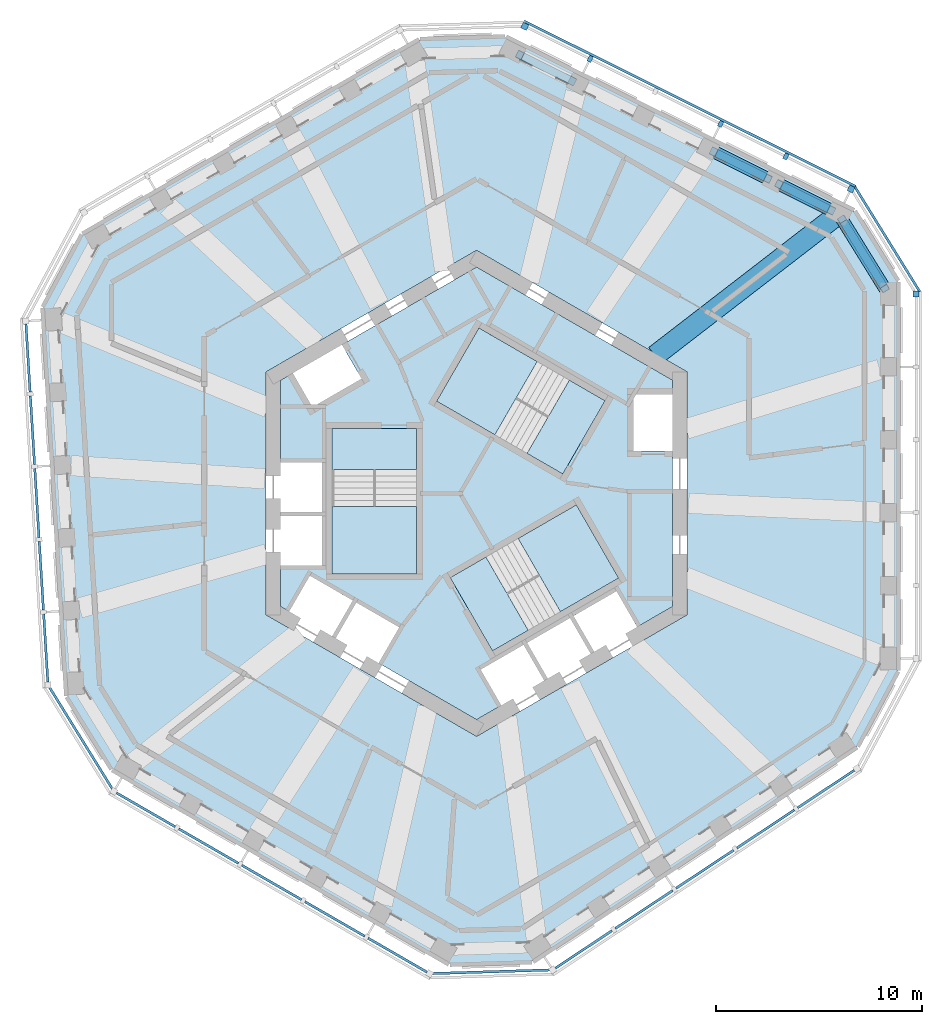
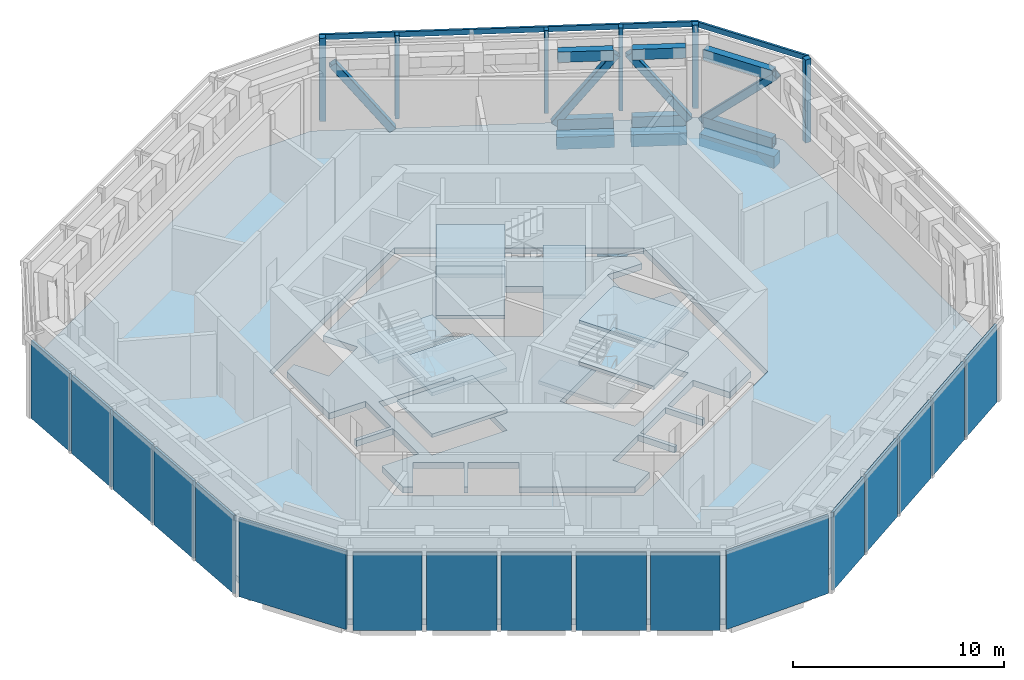
# One storey, part 4 of 14: 18 members, 17 plates, 11 slabs, 4 beams, 11 elements without a shape of their own.
"""IFC4 building model written with IfcOpenShell, lengths in metres."""

from ifc_helpers import new_model, si_unit, direction, frame, origin, origin_2d, place, context, subcontext, project, spatial, polyline, rectangle, hollow_rectangle, outline, extrude, material, layer, layer_set, material_profile, profile_set, type_object, element, aggregate, save


model = new_model("IFC4")

# Units and contexts
model_context = context("Model", 3, precision=1e-05, world=origin(), true_north=direction((0.0, 1.0)))
body_context = subcontext(model_context, "Body", "Model", "MODEL_VIEW")
ifc_project = project(units=[si_unit("LENGTHUNIT", "METRE"), si_unit("AREAUNIT", "SQUARE_METRE"), si_unit("VOLUMEUNIT", "CUBIC_METRE"), si_unit("PLANEANGLEUNIT", "RADIAN"), si_unit("MASSUNIT", "GRAM", prefix="KILO")], contexts=[model_context])

# Site, building, storey
site_placement = place(None, origin())
site = spatial("IfcSite", under=ifc_project, at=site_placement, CompositionType="ELEMENT")
building_placement = place(site_placement, origin())
building = spatial("IfcBuilding", under=site, at=building_placement, Name="Vanh Sen Convention Tower", CompositionType="ELEMENT")
storey_placement = place(building_placement, frame((0.0, 0.0, 255.0)))
storey = spatial("IfcBuildingStorey", under=building, at=storey_placement, Name="L63", CompositionType="ELEMENT", Elevation=255.0)

# Members
ifc_material_1 = material(Name="Steel S460", Category="steel")
ifc_material_profile_1 = material_profile(ifc_material_1, hollow_rectangle(XDim=0.39990234375, YDim=0.60009765625, WallThickness=0.030029296875, at=origin_2d()), Name="BOX 600X400X30")
ifc_profile_set_1 = profile_set([ifc_material_profile_1], Name="Steel S460")
member_type_1 = type_object("IfcMemberType", Name="Belt truss chord BOX 600X400X30", PredefinedType="CHORD", material=ifc_profile_set_1)
for number, where, z_axis, x_axis, name in (
    (1, (19.72265625, 10.03271484375, 0.300048828125), (-0.526227191347, 0.850344014553, 0.0), (-0.850344014553, -0.526227191347, 0.0), "BELT TRUSS chord bottom 06 L63"),
    (2, (19.72265625, 10.03271484375, 4.199951171875), (-0.526227191347, 0.850344014553, 0.0), (-0.850344014553, -0.526227191347, 0.0), "BELT TRUSS chord top 06 L63"),
):
    element("IfcMember", number, at=place(storey_placement, frame(where, z_axis=z_axis, x_axis=x_axis)), inside=storey, type_object=member_type_1, Name=name, PredefinedType="CHORD", context=body_context, shape_type="SweptSolid", body=[
        extrude(hollow_rectangle(XDim=0.39990234375, YDim=0.60009765625, WallThickness=0.030029296875, at=origin_2d()), origin(), (0.0, 0.0, 1.0), 3.69384765625),
    ])
for number, where, z_axis, x_axis, name in (
    (3, (17.063720703125, 13.784423828125, 0.300048828125), (-0.894925734573, 0.446215115834, 0.0), (-0.446215115834, -0.894925734573, 0.0), "BELT TRUSS chord bottom 07 L63"),
    (4, (17.063720703125, 13.784423828125, 4.199951171875), (-0.894925734573, 0.446215115834, 0.0), (-0.446215115834, -0.894925734573, 0.0), "BELT TRUSS chord top 07 L63"),
):
    element("IfcMember", number, at=place(storey_placement, frame(where, z_axis=z_axis, x_axis=x_axis)), inside=storey, type_object=member_type_1, Name=name, PredefinedType="CHORD", context=body_context, shape_type="SweptSolid", body=[
        extrude(hollow_rectangle(XDim=0.39990234375, YDim=0.60009765625, WallThickness=0.030029296875, at=origin_2d()), origin(), (0.0, 0.0, 1.0), 2.543701171875),
    ])
for number, where, z_axis, x_axis, name in (
    (5, (13.990966796875, 15.31640625, 0.300048828125), (-0.894925303477, 0.446215980436, 0.0), (-0.446215980436, -0.894925303477, 0.0), "BELT TRUSS chord bottom 08 L63"),
    (6, (13.990966796875, 15.31640625, 4.199951171875), (-0.894925303477, 0.446215980436, 0.0), (-0.446215980436, -0.894925303477, 0.0), "BELT TRUSS chord top 08 L63"),
):
    element("IfcMember", number, at=place(storey_placement, frame(where, z_axis=z_axis, x_axis=x_axis)), inside=storey, type_object=member_type_1, Name=name, PredefinedType="CHORD", context=body_context, shape_type="SweptSolid", body=[
        extrude(hollow_rectangle(XDim=0.39990234375, YDim=0.60009765625, WallThickness=0.030029296875, at=origin_2d()), origin(), (0.0, 0.0, 1.0), 2.643798828125),
    ])
ifc_material_2 = material(Name="Steel S355", Category="steel")
ifc_material_profile_2 = material_profile(ifc_material_2, hollow_rectangle(XDim=0.39990234375, YDim=0.39990234375, WallThickness=0.01611328125, InnerFilletRadius=0.01611328125, OuterFilletRadius=0.031982421875, at=origin_2d()), Name="SHS 400X400X16")
ifc_profile_set_2 = profile_set([ifc_material_profile_2], Name="Steel S355")
member_type_2 = type_object("IfcMemberType", Name="Belt truss diagonal SHS 400X400X16", PredefinedType="BRACE", material=ifc_profile_set_2)
member_1_placement = place(storey_placement, frame((19.791015625, 9.922119140625, 4.199951171875), z_axis=(-0.374630090923, 0.605421921168, -0.702222608825), x_axis=(-0.850362508226, -0.526197305773, 0.0)))
element("IfcMember", 7, at=member_1_placement, inside=storey, type_object=member_type_2, Name="BELT TRUSS diagonal 06 L63", PredefinedType="BRACE", context=body_context, shape_type="SweptSolid", body=[
    extrude(hollow_rectangle(XDim=0.39990234375, YDim=0.39990234375, WallThickness=0.01611328125, InnerFilletRadius=0.01611328125, OuterFilletRadius=0.031982421875, at=origin_2d()), origin(), (0.0, 0.0, 1.0), 5.5537109375),
])
member_2_placement = place(storey_placement, frame((17.1962890625, 13.71826171875, 0.300048828125), z_axis=(-0.526804554448, 0.262693798476, 0.808374250985), x_axis=(-0.446250515011, -0.894908083466, 0.0)))
element("IfcMember", 8, at=member_2_placement, inside=storey, type_object=member_type_2, Name="BELT TRUSS diagonal 07 L63", PredefinedType="BRACE", context=body_context, shape_type="SweptSolid", body=[
    extrude(hollow_rectangle(XDim=0.39990234375, YDim=0.39990234375, WallThickness=0.01611328125, InnerFilletRadius=0.01611328125, OuterFilletRadius=0.031982421875, at=origin_2d()), origin(), (0.0, 0.0, 1.0), 4.824462890625),
])
member_3_placement = place(storey_placement, frame((14.12353515625, 15.25048828125, 4.199951171875), z_axis=(-0.538727767109, 0.268589059356, -0.798518822659), x_axis=(-0.446183580836, -0.894941457411, 0.0)))
element("IfcMember", 9, at=member_3_placement, inside=storey, type_object=member_type_2, Name="BELT TRUSS diagonal 08 L63", PredefinedType="BRACE", context=body_context, shape_type="SweptSolid", body=[
    extrude(hollow_rectangle(XDim=0.39990234375, YDim=0.39990234375, WallThickness=0.01611328125, InnerFilletRadius=0.01611328125, OuterFilletRadius=0.031982421875, at=origin_2d()), origin(), (0.0, 0.0, 1.0), 4.884033203125),
])
member_4_placement = place(storey_placement, frame((4.636474609375, 19.98046875, 0.300048828125), z_axis=(-0.526841114384, 0.262686795194, 0.808352700141), x_axis=(-0.44621618645, -0.894925200757, 0.0)))
element("IfcMember", 10, at=member_4_placement, inside=storey, type_object=member_type_2, Name="BELT TRUSS diagonal 11 L63", PredefinedType="BRACE", context=body_context, shape_type="SweptSolid", body=[
    extrude(hollow_rectangle(XDim=0.39990234375, YDim=0.39990234375, WallThickness=0.01611328125, InnerFilletRadius=0.01611328125, OuterFilletRadius=0.031982421875, at=origin_2d()), origin(), (0.0, 0.0, 1.0), 4.824462890625),
])

# Curtain wall, member
ifc_material_3 = material(Name="Concrete C50/60", Category="concrete")
curtain_wall_type = type_object("IfcCurtainWallType", Name="Outer skin office zone", PredefinedType="NOTDEFINED", material=ifc_material_3)
curtain_wall_1_placement = place(storey_placement, origin())
curtain_wall_1 = element("IfcCurtainWall", 11, at=curtain_wall_1_placement, inside=storey, type_object=curtain_wall_type, Name="OUTER SKIN E L63", PredefinedType="NOTDEFINED")
ifc_material_profile_3 = material_profile(ifc_material_3, rectangle(XDim=0.300048828125, YDim=0.300048828125, at=origin_2d()), Name="Outer skin precast corner fin 300 x 300")
ifc_profile_set_3 = profile_set([ifc_material_profile_3], Name="Concrete C50/60")
member_type_3 = type_object("IfcMemberType", Name="Outer skin precast corner fin 300 x 300", PredefinedType="MULLION", material=ifc_profile_set_3)
member_5_placement = place(storey_placement, frame((21.300048828125, 9.665283203125, 0.0), z_axis=(0.0, 0.0, 1.0), x_axis=(0.0, 1.0, 0.0)))
member_5 = element("IfcMember", 12, at=member_5_placement, type_object=member_type_3, Name="OUTER SKIN CORNER FIN 6 E L63", PredefinedType="MULLION", context=body_context, shape_type="SweptSolid", body=[
    extrude(rectangle(XDim=0.300048828125, YDim=0.300048828125, at=origin_2d()), origin(), (0.0, 0.0, 1.0), 4.800048828125),
])
aggregate(curtain_wall_1, [member_5])

# Curtain wall, members
curtain_wall_2_placement = place(storey_placement, origin())
curtain_wall_2 = element("IfcCurtainWall", 13, at=curtain_wall_2_placement, inside=storey, type_object=curtain_wall_type, Name="OUTER SKIN NE L63", PredefinedType="NOTDEFINED")
member_6_placement = place(storey_placement, frame((18.15380859375, 14.74951171875, 0.0), z_axis=(0.0, 0.0, 1.0), x_axis=(-0.894934361602, 0.44619781311, 0.0)))
member_6 = element("IfcMember", 14, at=member_6_placement, type_object=member_type_3, Name="OUTER SKIN CORNER FIN 1 NE L63", PredefinedType="MULLION", context=body_context, shape_type="SweptSolid", body=[
    extrude(rectangle(XDim=0.300048828125, YDim=0.300048828125, at=origin_2d()), origin(), (0.0, 0.0, 1.0), 4.800048828125),
])
member_7_placement = place(storey_placement, frame((2.342041015625, 22.633056640625, 0.0), z_axis=(0.0, 0.0, 1.0), x_axis=(-0.894934361602, 0.44619781311, 0.0)))
member_7 = element("IfcMember", 15, at=member_7_placement, type_object=member_type_3, Name="OUTER SKIN CORNER FIN 6 NE L63", PredefinedType="MULLION", context=body_context, shape_type="SweptSolid", body=[
    extrude(rectangle(XDim=0.300048828125, YDim=0.300048828125, at=origin_2d()), origin(), (0.0, 0.0, 1.0), 4.800048828125),
])
ifc_material_profile_4 = material_profile(ifc_material_3, rectangle(XDim=0.199951171875, YDim=0.300048828125, at=origin_2d()), Name="Outer skin precast fin 200 x 300")
ifc_profile_set_4 = profile_set([ifc_material_profile_4], Name="Concrete C50/60")
member_type_4 = type_object("IfcMemberType", Name="Outer skin precast fin 200 x 300", PredefinedType="MULLION", material=ifc_profile_set_4)
member_8_placement = place(storey_placement, frame((14.99169921875, 16.326171875, 0.0), z_axis=(0.0, 0.0, 1.0), x_axis=(-0.894934361602, 0.44619781311, 0.0)))
member_8 = element("IfcMember", 16, at=member_8_placement, type_object=member_type_4, Name="OUTER SKIN fin 2 NE L63", PredefinedType="MULLION", context=body_context, shape_type="SweptSolid", body=[
    extrude(rectangle(XDim=0.199951171875, YDim=0.300048828125, at=origin_2d()), origin(), (0.0, 0.0, 1.0), 4.800048828125),
])
member_9_placement = place(storey_placement, frame((11.8291015625, 17.90283203125, 0.0), z_axis=(0.0, 0.0, 1.0), x_axis=(-0.894934361602, 0.44619781311, 0.0)))
member_9 = element("IfcMember", 17, at=member_9_placement, type_object=member_type_4, Name="OUTER SKIN fin 3 NE L63", PredefinedType="MULLION", context=body_context, shape_type="SweptSolid", body=[
    extrude(rectangle(XDim=0.199951171875, YDim=0.300048828125, at=origin_2d()), origin(), (0.0, 0.0, 1.0), 4.800048828125),
])
member_10_placement = place(storey_placement, frame((5.50439453125, 21.056396484375, 0.0), z_axis=(0.0, 0.0, 1.0), x_axis=(-0.894934361602, 0.44619781311, 0.0)))
member_10 = element("IfcMember", 18, at=member_10_placement, type_object=member_type_4, Name="OUTER SKIN fin 5 NE L63", PredefinedType="MULLION", context=body_context, shape_type="SweptSolid", body=[
    extrude(rectangle(XDim=0.199951171875, YDim=0.300048828125, at=origin_2d()), origin(), (0.0, 0.0, 1.0), 4.800048828125),
])

# Curtain wall, member
curtain_wall_3_placement = place(storey_placement, origin())
curtain_wall_3 = element("IfcCurtainWall", 19, at=curtain_wall_3_placement, inside=storey, type_object=curtain_wall_type, Name="OUTER SKIN CH1 L63", PredefinedType="NOTDEFINED")
ifc_material_profile_5 = material_profile(ifc_material_3, rectangle(XDim=0.1201171875, YDim=0.300048828125, at=origin_2d()), Name="Outer skin precast spandrel band 300 x 120")
ifc_profile_set_5 = profile_set([ifc_material_profile_5], Name="Concrete C50/60")
member_type_5 = type_object("IfcMemberType", Name="Outer skin precast spandrel band 300 x 120", PredefinedType="USERDEFINED", material=ifc_profile_set_5)
member_11_placement = place(storey_placement, frame((21.478515625, 9.77587890625, 4.64990234375), z_axis=(-0.526187318786, 0.850368688011, 0.0), x_axis=(-0.850368688011, -0.526187318786, 0.0)))
member_11 = element("IfcMember", 20, at=member_11_placement, type_object=member_type_5, Name="OUTER SKIN spandrel band CH1 L63", ObjectType="TRANSOM", PredefinedType="USERDEFINED", context=body_context, shape_type="SweptSolid", body=[
    extrude(rectangle(XDim=0.1201171875, YDim=0.300048828125, at=origin_2d()), origin(), (0.0, 0.0, 1.0), 5.978759765625),
])
aggregate(curtain_wall_3, [member_11])

# Member
member_12_placement = place(storey_placement, frame((18.3818359375, 14.87060546875, 4.64990234375), z_axis=(-0.894940208367, 0.446186086121, 0.0), x_axis=(-0.446186086121, -0.894940208367, 0.0)))
member_12 = element("IfcMember", 21, at=member_12_placement, type_object=member_type_5, Name="OUTER SKIN spandrel band NE L63", ObjectType="TRANSOM", PredefinedType="USERDEFINED", context=body_context, shape_type="SweptSolid", body=[
    extrude(rectangle(XDim=0.1201171875, YDim=0.300048828125, at=origin_2d()), origin(), (0.0, 0.0, 1.0), 17.968017578125),
])

aggregate(curtain_wall_2, [member_6, member_8, member_9, member_10, member_7, member_12])

# Beams
ifc_material_4 = material(Name="Concrete C50/60", Category="concrete")
ifc_material_profile_6 = material_profile(ifc_material_4, rectangle(XDim=1.0, YDim=0.800048828125, at=origin_2d()), Name="RC 1000X800")
ifc_profile_set_6 = profile_set([ifc_material_profile_6], Name="Concrete C50/60")
beam_type_1 = type_object("IfcBeamType", Name="Radial floor beam 1000 x 800", PredefinedType="BEAM", material=ifc_profile_set_6)
beam_1_placement = place(storey_placement, frame((17.464599609375, 13.474365234375, -0.75), z_axis=(-0.791741041162, -0.610856876642, 0.0), x_axis=(0.610856876642, -0.791741041162, 0.0)))
element("IfcBeam", 22, at=beam_1_placement, inside=storey, type_object=beam_type_1, Name="Radial beam 04 L63", PredefinedType="BEAM", context=body_context, shape_type="SweptSolid", body=[
    extrude(rectangle(XDim=1.0, YDim=0.800048828125, at=origin_2d()), origin(), (0.0, 0.0, 1.0), 11.13232421875),
])
ifc_material_profile_7 = material_profile(ifc_material_4, rectangle(XDim=0.60009765625, YDim=0.699951171875, at=origin_2d()), Name="RC 600X700")
ifc_profile_set_7 = profile_set([ifc_material_profile_7], Name="Concrete C50/60")
beam_type_2 = type_object("IfcBeamType", Name="Spandrel beam 600 x 700", PredefinedType="SPANDREL", material=ifc_profile_set_7)
beam_2_placement = place(storey_placement, frame((19.8076171875, 9.895263671875, -0.699951171875), z_axis=(-0.526191408649, 0.85036615729, 0.0), x_axis=(-0.85036615729, -0.526191408649, 0.0)))
element("IfcBeam", 23, at=beam_2_placement, inside=storey, type_object=beam_type_2, Name="Spandrel beam 06 L63", PredefinedType="SPANDREL", context=body_context, shape_type="SweptSolid", body=[
    extrude(rectangle(XDim=0.60009765625, YDim=0.699951171875, at=origin_2d()), origin(), (0.0, 0.0, 1.0), 4.01708984375),
])
beam_3_placement = place(storey_placement, frame((17.108642578125, 13.76220703125, -0.699951171875), z_axis=(-0.894962178475, 0.446142016738, 0.0), x_axis=(-0.446142016738, -0.894962178475, 0.0)))
element("IfcBeam", 24, at=beam_3_placement, inside=storey, type_object=beam_type_2, Name="Spandrel beam 07 L63", PredefinedType="SPANDREL", context=body_context, shape_type="SweptSolid", body=[
    extrude(rectangle(XDim=0.60009765625, YDim=0.699951171875, at=origin_2d()), origin(), (0.0, 0.0, 1.0), 2.6435546875),
])
beam_4_placement = place(storey_placement, frame((14.03564453125, 15.294189453125, -0.699951171875), z_axis=(-0.894942720211, 0.446181047941, 0.0), x_axis=(-0.446181047941, -0.894942720211, 0.0)))
element("IfcBeam", 25, at=beam_4_placement, inside=storey, type_object=beam_type_2, Name="Spandrel beam 08 L63", PredefinedType="SPANDREL", context=body_context, shape_type="SweptSolid", body=[
    extrude(rectangle(XDim=0.60009765625, YDim=0.699951171875, at=origin_2d()), origin(), (0.0, 0.0, 1.0), 2.74365234375),
])

# Slabs
ifc_material_5 = material(Name="Concrete C40/50", Category="concrete")
ifc_layer_1 = layer(ifc_material_5, 0.35009765625)
ifc_layer_set_1 = layer_set([ifc_layer_1], Name="Concrete C40/50")
slab_type_1 = type_object("IfcSlabType", Name="Core slab 350", PredefinedType="FLOOR", material=ifc_layer_set_1)
slab_1_placement = place(storey_placement, frame((0.0, 0.0, -0.35009765625)))
element("IfcSlab", 26, at=slab_1_placement, inside=storey, type_object=slab_type_1, Name="Core slab L63", PredefinedType="FLOOR", context=body_context, shape_type="SweptSolid", body=[
    extrude(outline(polyline([(0.0, 10.9697265625), (9.5, 5.48486328125), (9.5, 4.800048828125), (7.60009765625, 4.800048828125), (7.60009765625, 2.050048828125), (9.5, 2.050048828125), (9.5, -5.48486328125), (7.781005859375, -6.477294921875), (6.781005859375, -4.7451171875), (4.70263671875, -5.9453125), (5.70263671875, -7.67724609375), (5.529296875, -7.777099609375), (4.529296875, -6.045166015625), (2.450927734375, -7.2451171875), (3.450927734375, -8.977294921875), (3.27783203125, -9.0771484375), (2.27783203125, -7.34521484375), (0.19921875, -8.545166015625), (1.19921875, -10.277099609375), (0.0, -10.9697265625), (-4.75, -8.227294921875), (-3.75, -6.4951171875), (-5.82861328125, -5.295166015625), (-6.82861328125, -7.027099609375), (-7.001708984375, -6.92724609375), (-6.001708984375, -5.1953125), (-8.080078125, -3.9951171875), (-9.080078125, -5.727294921875), (-9.5, -5.48486328125), (-9.5, -3.5), (-7.5, -3.5), (-7.5, -1.10009765625), (-9.5, -1.10009765625), (-9.5, -0.89990234375), (-7.5, -0.89990234375), (-7.5, 1.5), (-9.5, 1.5), (-9.5, 5.48486328125), (-8.906982421875, 5.8271484375), (-7.956787109375, 4.181884765625), (-5.575439453125, 5.556884765625), (-6.525390625, 7.2021484375), (0.0, 10.9697265625)]), holes=[polyline([(-7.0, 1.1494140625), (-7.0, -3.909912109375), (-2.89990234375, -3.909912109375), (-2.89990234375, 1.1494140625), (-7.0, 1.1494140625)]), polyline([(2.504638671875, -6.63671875), (6.88623046875, -4.107177734375), (4.836181640625, -0.556396484375), (0.45458984375, -3.086181640625), (2.504638671875, -6.63671875)]), polyline([(0.11376953125, 8.01708984375), (-1.936279296875, 4.466552734375), (2.4453125, 1.936767578125), (4.495361328125, 5.487548828125), (0.11376953125, 8.01708984375)])]), origin(), (0.0, 0.0, 1.0), 0.35009765625),
])
ifc_layer_2 = layer(ifc_material_5, 0.35009765625)
ifc_layer_set_2 = layer_set([ifc_layer_2], Name="Concrete C40/50")
slab_type_2 = type_object("IfcSlabType", Name="Floor slab 350, compartment floor REI 180", PredefinedType="FLOOR", material=ifc_layer_set_2)
slab_2_placement = place(storey_placement, frame((0.0, 0.0, -0.35009765625)))
element("IfcSlab", 27, at=slab_2_placement, inside=storey, type_object=slab_type_2, Name="Floor slab L63 tower", PredefinedType="FLOOR", context=body_context, shape_type="SweptSolid", body=[
    extrude(outline(polyline([(20.39990234375, -8.602783203125), (20.39990234375, 10.265380859375), (18.289306640625, 13.67626953125), (1.403564453125, 22.09521484375), (-2.749755859375, 21.96826171875), (-19.090087890625, 12.5341796875), (-20.988525390625, 9.000732421875), (-19.8369140625, -9.83203125), (-17.650146484375, -13.365478515625), (-1.309814453125, -22.799560546875), (2.699462890625, -22.677001953125), (18.433349609375, -12.26318359375), (20.39990234375, -8.602783203125)]), holes=[polyline([(0.0, 11.77783203125), (-10.199951171875, 5.888916015625), (-10.199951171875, -5.888916015625), (0.0, -11.77783203125), (10.199951171875, -5.888916015625), (10.199951171875, 5.888916015625), (0.0, 11.77783203125)])]), origin(), (0.0, 0.0, 1.0), 0.35009765625),
])

# Curtain wall, plates
curtain_wall_4_placement = place(storey_placement, origin())
curtain_wall_4 = element("IfcCurtainWall", 28, at=curtain_wall_4_placement, inside=storey, type_object=curtain_wall_type, Name="OUTER SKIN W L63", PredefinedType="NOTDEFINED")
ifc_layer_3 = layer(ifc_material_3, 0.1201171875)
ifc_layer_set_3 = layer_set([ifc_layer_3], Name="Concrete C50/60")
plate_type = type_object("IfcPlateType", Name="Outer skin precast screen panel 120", PredefinedType="CURTAIN_PANEL", material=ifc_layer_set_3)
plate_1_placement = place(storey_placement, frame((-21.740966796875, 6.55859375, 0.0), z_axis=(0.0, 0.0, 1.0), x_axis=(0.061043313312, -0.998135118058, 0.0)))
plate_1 = element("IfcPlate", 29, at=plate_1_placement, type_object=plate_type, Name="OUTER SKIN screen panel W-1", PredefinedType="CURTAIN_PANEL", context=body_context, shape_type="SweptSolid", body=[
    extrude(rectangle(XDim=3.28369140625, YDim=0.1201171875, at=origin_2d()), origin(), (0.0, 0.0, 1.0), 4.5),
])
plate_2_placement = place(storey_placement, frame((-21.526611328125, 3.056396484375, 0.0), z_axis=(0.0, 0.0, 1.0), x_axis=(0.061041571238, -0.998135224597, 0.0)))
plate_2 = element("IfcPlate", 30, at=plate_2_placement, type_object=plate_type, Name="OUTER SKIN screen panel W-2", PredefinedType="CURTAIN_PANEL", context=body_context, shape_type="SweptSolid", body=[
    extrude(rectangle(XDim=3.333740234375, YDim=0.1201171875, at=origin_2d()), origin(), (0.0, 0.0, 1.0), 4.5),
])
plate_3_placement = place(storey_placement, frame((-21.31103515625, -0.470703125, 0.0), z_axis=(0.0, 0.0, 1.0), x_axis=(0.061043313312, -0.998135118058, 0.0)))
plate_3 = element("IfcPlate", 31, at=plate_3_placement, type_object=plate_type, Name="OUTER SKIN screen panel W-3", PredefinedType="CURTAIN_PANEL", context=body_context, shape_type="SweptSolid", body=[
    extrude(rectangle(XDim=3.33349609375, YDim=0.1201171875, at=origin_2d()), origin(), (0.0, 0.0, 1.0), 4.5),
])
plate_4_placement = place(storey_placement, frame((-21.09521484375, -3.99755859375, 0.0), z_axis=(0.0, 0.0, 1.0), x_axis=(0.061043313312, -0.998135118058, 0.0)))
plate_4 = element("IfcPlate", 32, at=plate_4_placement, type_object=plate_type, Name="OUTER SKIN screen panel W-4", PredefinedType="CURTAIN_PANEL", context=body_context, shape_type="SweptSolid", body=[
    extrude(rectangle(XDim=3.33349609375, YDim=0.1201171875, at=origin_2d()), origin(), (0.0, 0.0, 1.0), 4.5),
])
plate_5_placement = place(storey_placement, frame((-20.881103515625, -7.499755859375, 0.0), z_axis=(0.0, 0.0, 1.0), x_axis=(0.061069444408, -0.998133519605, 0.0)))
plate_5 = element("IfcPlate", 33, at=plate_5_placement, type_object=plate_type, Name="OUTER SKIN screen panel W-5", PredefinedType="CURTAIN_PANEL", context=body_context, shape_type="SweptSolid", body=[
    extrude(rectangle(XDim=3.28369140625, YDim=0.1201171875, at=origin_2d()), origin(), (0.0, 0.0, 1.0), 4.5),
])
aggregate(curtain_wall_4, [plate_1, plate_2, plate_3, plate_4, plate_5])

# Curtain wall, plate
curtain_wall_5_placement = place(storey_placement, origin())
curtain_wall_5 = element("IfcCurtainWall", 34, at=curtain_wall_5_placement, inside=storey, type_object=curtain_wall_type, Name="OUTER SKIN CH4 L63", PredefinedType="NOTDEFINED")
plate_6_placement = place(storey_placement, frame((-19.176025390625, -11.86669921875, 0.0), z_axis=(0.0, 0.0, 1.0), x_axis=(0.526215407796, -0.850351306578, 0.0)))
plate_6 = element("IfcPlate", 35, at=plate_6_placement, type_object=plate_type, Name="OUTER SKIN screen panel CH4-1", PredefinedType="CURTAIN_PANEL", context=body_context, shape_type="SweptSolid", body=[
    extrude(rectangle(XDim=5.76416015625, YDim=0.1201171875, at=origin_2d()), origin(), (0.0, 0.0, 1.0), 4.5),
])
aggregate(curtain_wall_5, [plate_6])

# Curtain wall, plates
curtain_wall_6_placement = place(storey_placement, origin())
curtain_wall_6 = element("IfcCurtainWall", 36, at=curtain_wall_6_placement, inside=storey, type_object=curtain_wall_type, Name="OUTER SKIN SW L63", PredefinedType="NOTDEFINED")
plate_7_placement = place(storey_placement, frame((-16.02880859375, -15.3408203125, 0.0), z_axis=(0.0, 0.0, 1.0), x_axis=(0.866026276448, -0.4999984885, 0.0)))
plate_7 = element("IfcPlate", 37, at=plate_7_placement, type_object=plate_type, Name="OUTER SKIN screen panel SW-1", PredefinedType="CURTAIN_PANEL", context=body_context, shape_type="SweptSolid", body=[
    extrude(rectangle(XDim=3.28369140625, YDim=0.1201171875, at=origin_2d()), origin(), (0.0, 0.0, 1.0), 4.5),
])
plate_8_placement = place(storey_placement, frame((-12.990234375, -17.09521484375, 0.0), z_axis=(0.0, 0.0, 1.0), x_axis=(0.866026276448, -0.4999984885, 0.0)))
plate_8 = element("IfcPlate", 38, at=plate_8_placement, type_object=plate_type, Name="OUTER SKIN screen panel SW-2", PredefinedType="CURTAIN_PANEL", context=body_context, shape_type="SweptSolid", body=[
    extrude(rectangle(XDim=3.33349609375, YDim=0.1201171875, at=origin_2d()), origin(), (0.0, 0.0, 1.0), 4.5),
])
plate_9_placement = place(storey_placement, frame((-9.93017578125, -18.862060546875, 0.0), z_axis=(0.0, 0.0, 1.0), x_axis=(0.866014058921, -0.500019649364, 0.0)))
plate_9 = element("IfcPlate", 39, at=plate_9_placement, type_object=plate_type, Name="OUTER SKIN screen panel SW-3", PredefinedType="CURTAIN_PANEL", context=body_context, shape_type="SweptSolid", body=[
    extrude(rectangle(XDim=3.333740234375, YDim=0.1201171875, at=origin_2d()), origin(), (0.0, 0.0, 1.0), 4.5),
])
plate_10_placement = place(storey_placement, frame((-6.869873046875, -20.62890625, 0.0), z_axis=(0.0, 0.0, 1.0), x_axis=(0.866026276448, -0.4999984885, 0.0)))
plate_10 = element("IfcPlate", 40, at=plate_10_placement, type_object=plate_type, Name="OUTER SKIN screen panel SW-4", PredefinedType="CURTAIN_PANEL", context=body_context, shape_type="SweptSolid", body=[
    extrude(rectangle(XDim=3.33349609375, YDim=0.1201171875, at=origin_2d()), origin(), (0.0, 0.0, 1.0), 4.5),
])
plate_11_placement = place(storey_placement, frame((-3.831298828125, -22.383056640625, 0.0), z_axis=(0.0, 0.0, 1.0), x_axis=(0.866033257659, -0.499986396443, 0.0)))
plate_11 = element("IfcPlate", 41, at=plate_11_placement, type_object=plate_type, Name="OUTER SKIN screen panel SW-5", PredefinedType="CURTAIN_PANEL", context=body_context, shape_type="SweptSolid", body=[
    extrude(rectangle(XDim=3.28369140625, YDim=0.1201171875, at=origin_2d()), origin(), (0.0, 0.0, 1.0), 4.5),
])
aggregate(curtain_wall_6, [plate_7, plate_8, plate_9, plate_10, plate_11])

# Curtain wall, plate
curtain_wall_7_placement = place(storey_placement, origin())
curtain_wall_7 = element("IfcCurtainWall", 42, at=curtain_wall_7_placement, inside=storey, type_object=curtain_wall_type, Name="OUTER SKIN CH5 L63", PredefinedType="NOTDEFINED")
plate_12_placement = place(storey_placement, frame((0.70849609375, -23.187744140625, 0.0), z_axis=(0.0, 0.0, 1.0), x_axis=(0.999533537535, 0.030540257725, 0.0)))
plate_12 = element("IfcPlate", 43, at=plate_12_placement, type_object=plate_type, Name="OUTER SKIN screen panel CH5-1", PredefinedType="CURTAIN_PANEL", context=body_context, shape_type="SweptSolid", body=[
    extrude(rectangle(XDim=5.6787109375, YDim=0.1201171875, at=origin_2d()), origin(), (0.0, 0.0, 1.0), 4.5),
])
aggregate(curtain_wall_7, [plate_12])

# Curtain wall, plates
curtain_wall_8_placement = place(storey_placement, origin())
curtain_wall_8 = element("IfcCurtainWall", 44, at=curtain_wall_8_placement, inside=storey, type_object=curtain_wall_type, Name="OUTER SKIN SE L63", PredefinedType="NOTDEFINED")
plate_13_placement = place(storey_placement, frame((5.190673828125, -22.107421875, 0.0), z_axis=(0.0, 0.0, 1.0), x_axis=(0.833896418343, 0.551920975752, 0.0)))
plate_13 = element("IfcPlate", 45, at=plate_13_placement, type_object=plate_type, Name="OUTER SKIN screen panel SE-1", PredefinedType="CURTAIN_PANEL", context=body_context, shape_type="SweptSolid", body=[
    extrude(rectangle(XDim=3.28369140625, YDim=0.1201171875, at=origin_2d()), origin(), (0.0, 0.0, 1.0), 4.5),
])
plate_14_placement = place(storey_placement, frame((8.116455078125, -20.1708984375, 0.0), z_axis=(0.0, 0.0, 1.0), x_axis=(0.833874262143, 0.551954450055, 0.0)))
plate_14 = element("IfcPlate", 46, at=plate_14_placement, type_object=plate_type, Name="OUTER SKIN screen panel SE-2", PredefinedType="CURTAIN_PANEL", context=body_context, shape_type="SweptSolid", body=[
    extrude(rectangle(XDim=3.33349609375, YDim=0.1201171875, at=origin_2d()), origin(), (0.0, 0.0, 1.0), 4.5),
])
plate_15_placement = place(storey_placement, frame((11.06298828125, -18.220703125, 0.0), z_axis=(0.0, 0.0, 1.0), x_axis=(0.833896418343, 0.551920975752, 0.0)))
plate_15 = element("IfcPlate", 47, at=plate_15_placement, type_object=plate_type, Name="OUTER SKIN screen panel SE-3", PredefinedType="CURTAIN_PANEL", context=body_context, shape_type="SweptSolid", body=[
    extrude(rectangle(XDim=3.333740234375, YDim=0.1201171875, at=origin_2d()), origin(), (0.0, 0.0, 1.0), 4.5),
])
plate_16_placement = place(storey_placement, frame((14.009765625, -16.270263671875, 0.0), z_axis=(0.0, 0.0, 1.0), x_axis=(0.833874262143, 0.551954450055, 0.0)))
plate_16 = element("IfcPlate", 48, at=plate_16_placement, type_object=plate_type, Name="OUTER SKIN screen panel SE-4", PredefinedType="CURTAIN_PANEL", context=body_context, shape_type="SweptSolid", body=[
    extrude(rectangle(XDim=3.33349609375, YDim=0.1201171875, at=origin_2d()), origin(), (0.0, 0.0, 1.0), 4.5),
])
plate_17_placement = place(storey_placement, frame((16.935546875, -14.333740234375, 0.0), z_axis=(0.0, 0.0, 1.0), x_axis=(0.833896418343, 0.551920975752, 0.0)))
plate_17 = element("IfcPlate", 49, at=plate_17_placement, type_object=plate_type, Name="OUTER SKIN screen panel SE-5", PredefinedType="CURTAIN_PANEL", context=body_context, shape_type="SweptSolid", body=[
    extrude(rectangle(XDim=3.28369140625, YDim=0.1201171875, at=origin_2d()), origin(), (0.0, 0.0, 1.0), 4.5),
])
aggregate(curtain_wall_8, [plate_13, plate_14, plate_15, plate_16, plate_17])

# Stair, slabs
ifc_material_6 = material(Name="Concrete C50/60", Category="concrete")
stair_type_1 = type_object("IfcStairType", Name="Exit stair ST1 28 risers at 171.4", PredefinedType="HALF_TURN_STAIR", material=ifc_material_6)
stair_1_placement = place(storey_placement, origin())
stair_1 = element("IfcStair", 50, at=stair_1_placement, inside=storey, type_object=stair_type_1, Name="Exit stair ST1 L63", PredefinedType="HALF_TURN_STAIR")
ifc_layer_4 = layer(ifc_material_5, 0.199951171875)
ifc_layer_set_4 = layer_set([ifc_layer_4], Name="Concrete C40/50")
slab_type_3 = type_object("IfcSlabType", Name="Stair landing 200", PredefinedType="LANDING", material=ifc_layer_set_4)
slab_3_placement = place(storey_placement, frame((0.0, 0.0, 1.0)))
slab_3 = element("IfcSlab", 51, at=slab_3_placement, type_object=slab_type_3, Name="ST1 landing 1", PredefinedType="LANDING", context=body_context, shape_type="SweptSolid", body=[
    extrude(outline(polyline([(2.937744140625, 6.38671875), (0.11376953125, 8.01708984375), (-1.936279296875, 4.466552734375), (0.8876953125, 2.836181640625), (2.937744140625, 6.38671875)])), origin(), (0.0, 0.0, 1.0), 0.199951171875),
])
slab_4_placement = place(storey_placement, frame((0.0, 0.0, 2.199951171875)))
slab_4 = element("IfcSlab", 52, at=slab_4_placement, type_object=slab_type_3, Name="ST1 landing 2", PredefinedType="LANDING", context=body_context, shape_type="SweptSolid", body=[
    extrude(outline(polyline([(6.22802734375, 4.4873046875), (4.495361328125, 5.487548828125), (2.4453125, 1.936767578125), (4.177978515625, 0.9365234375), (6.22802734375, 4.4873046875)])), origin(), (0.0, 0.0, 1.0), 0.199951171875),
])
slab_5_placement = place(storey_placement, frame((0.0, 0.0, 3.39990234375)))
slab_5 = element("IfcSlab", 53, at=slab_5_placement, type_object=slab_type_3, Name="ST1 landing 3", PredefinedType="LANDING", context=body_context, shape_type="SweptSolid", body=[
    extrude(outline(polyline([(2.937744140625, 6.38671875), (0.11376953125, 8.01708984375), (-1.936279296875, 4.466552734375), (0.8876953125, 2.836181640625), (2.937744140625, 6.38671875)])), origin(), (0.0, 0.0, 1.0), 0.2001953125),
])
aggregate(stair_1, [slab_3, slab_4, slab_5])

stair_type_2 = type_object("IfcStairType", Name="Exit stair ST2 28 risers at 171.4", PredefinedType="HALF_TURN_STAIR", material=ifc_material_6)
stair_2_placement = place(storey_placement, origin())
stair_2 = element("IfcStair", 54, at=stair_2_placement, inside=storey, type_object=stair_type_2, Name="Exit stair ST2 L63", PredefinedType="HALF_TURN_STAIR")
slab_6_placement = place(storey_placement, frame((0.0, 0.0, 1.0)))
slab_6 = element("IfcSlab", 55, at=slab_6_placement, type_object=slab_type_3, Name="ST2 landing 1", PredefinedType="LANDING", context=body_context, shape_type="SweptSolid", body=[
    extrude(outline(polyline([(-7.0, -0.6494140625), (-7.0, -3.909912109375), (-2.89990234375, -3.909912109375), (-2.89990234375, -0.6494140625), (-7.0, -0.6494140625)])), origin(), (0.0, 0.0, 1.0), 0.199951171875),
])
slab_7_placement = place(storey_placement, frame((0.0, 0.0, 2.199951171875)))
slab_7 = element("IfcSlab", 56, at=slab_7_placement, type_object=slab_type_3, Name="ST2 landing 2", PredefinedType="LANDING", context=body_context, shape_type="SweptSolid", body=[
    extrude(outline(polyline([(-7.0, 3.14990234375), (-7.0, 1.1494140625), (-2.89990234375, 1.1494140625), (-2.89990234375, 3.14990234375), (-7.0, 3.14990234375)])), origin(), (0.0, 0.0, 1.0), 0.199951171875),
])
slab_8_placement = place(storey_placement, frame((0.0, 0.0, 3.39990234375)))
slab_8 = element("IfcSlab", 57, at=slab_8_placement, type_object=slab_type_3, Name="ST2 landing 3", PredefinedType="LANDING", context=body_context, shape_type="SweptSolid", body=[
    extrude(outline(polyline([(-7.0, -0.6494140625), (-7.0, -3.909912109375), (-2.89990234375, -3.909912109375), (-2.89990234375, -0.6494140625), (-7.0, -0.6494140625)])), origin(), (0.0, 0.0, 1.0), 0.2001953125),
])
aggregate(stair_2, [slab_6, slab_7, slab_8])

stair_type_3 = type_object("IfcStairType", Name="Exit stair ST3 28 risers at 171.4", PredefinedType="HALF_TURN_STAIR", material=ifc_material_6)
stair_3_placement = place(storey_placement, origin())
stair_3 = element("IfcStair", 58, at=stair_3_placement, inside=storey, type_object=stair_type_3, Name="Exit stair ST3 L63", PredefinedType="HALF_TURN_STAIR")
slab_9_placement = place(storey_placement, frame((0.0, 0.0, 1.0)))
slab_9 = element("IfcSlab", 59, at=slab_9_placement, type_object=slab_type_3, Name="ST3 landing 1", PredefinedType="LANDING", context=body_context, shape_type="SweptSolid", body=[
    extrude(outline(polyline([(4.062255859375, -5.737548828125), (6.88623046875, -4.107177734375), (4.836181640625, -0.556396484375), (2.01220703125, -2.186767578125), (4.062255859375, -5.737548828125)])), origin(), (0.0, 0.0, 1.0), 0.199951171875),
])
slab_10_placement = place(storey_placement, frame((0.0, 0.0, 2.199951171875)))
slab_10 = element("IfcSlab", 60, at=slab_10_placement, type_object=slab_type_3, Name="ST3 landing 2", PredefinedType="LANDING", context=body_context, shape_type="SweptSolid", body=[
    extrude(outline(polyline([(0.77197265625, -7.63720703125), (2.504638671875, -6.63671875), (0.45458984375, -3.086181640625), (-1.278076171875, -4.08642578125), (0.77197265625, -7.63720703125)])), origin(), (0.0, 0.0, 1.0), 0.199951171875),
])
slab_11_placement = place(storey_placement, frame((0.0, 0.0, 3.39990234375)))
slab_11 = element("IfcSlab", 61, at=slab_11_placement, type_object=slab_type_3, Name="ST3 landing 3", PredefinedType="LANDING", context=body_context, shape_type="SweptSolid", body=[
    extrude(outline(polyline([(4.062255859375, -5.737548828125), (6.88623046875, -4.107177734375), (4.836181640625, -0.556396484375), (2.01220703125, -2.186767578125), (4.062255859375, -5.737548828125)])), origin(), (0.0, 0.0, 1.0), 0.2001953125),
])
aggregate(stair_3, [slab_9, slab_10, slab_11])

save(model, "model.ifc")
